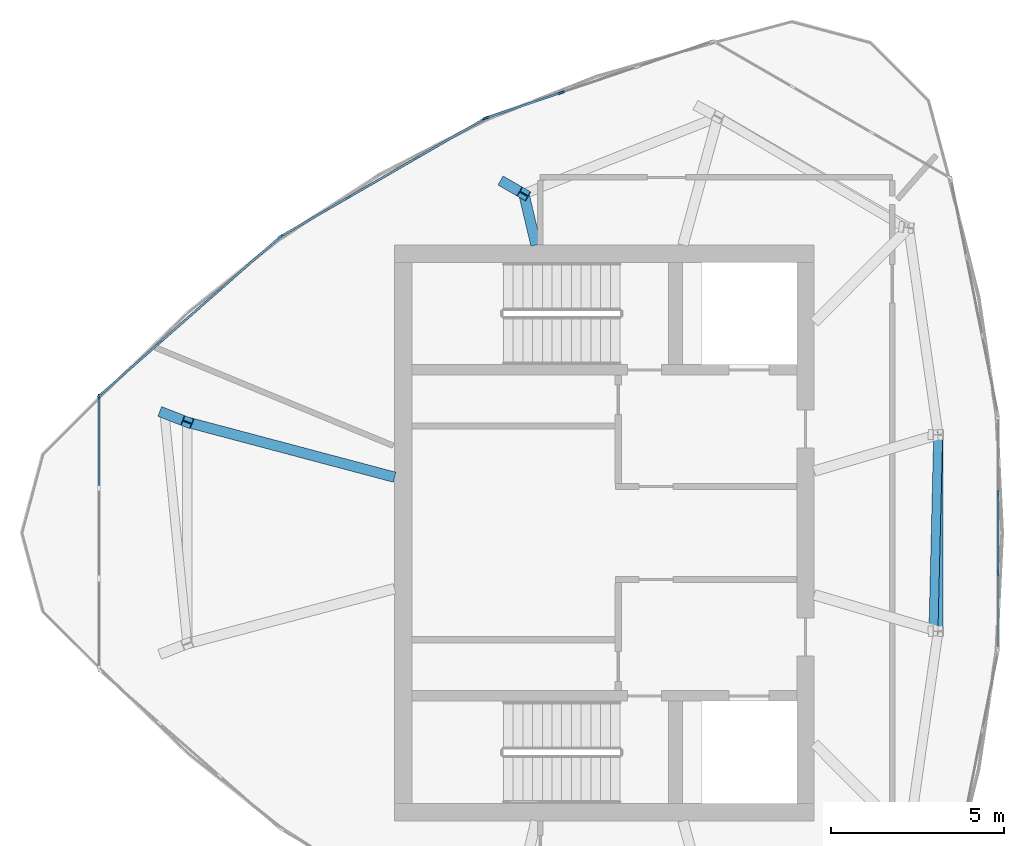
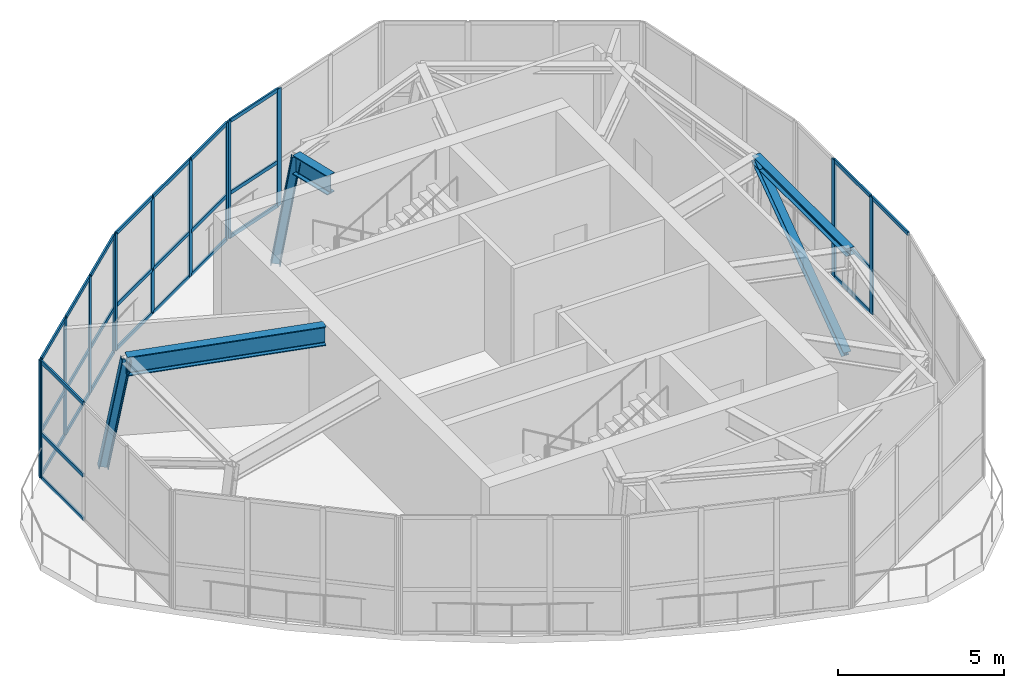
# One storey, part 3 of 9: 45 members, 2 beams, 5 elements without a shape of their own.
"""IFC4 building model written with IfcOpenShell, lengths in metres."""

from ifc_helpers import new_model, si_unit, direction, frame, origin, origin_2d, place, context, subcontext, project, spatial, rectangle, i_section, extrude, source, transform, mapped, material, layer, layer_set, material_profile, profile_set, type_object, element, aggregate, save


model = new_model("IFC4")

# Units and contexts
model_context = context("Model", 3, precision=1e-05, world=origin(), true_north=direction((0.0, 1.0)))
body_context = subcontext(model_context, "Body", "Model", "MODEL_VIEW")
ifc_project = project(units=[si_unit("LENGTHUNIT", "METRE"), si_unit("AREAUNIT", "SQUARE_METRE"), si_unit("VOLUMEUNIT", "CUBIC_METRE"), si_unit("PLANEANGLEUNIT", "RADIAN"), si_unit("MASSUNIT", "GRAM", prefix="KILO")], contexts=[model_context])

# Site, building, storey
site_placement = place(None, origin())
site = spatial("IfcSite", under=ifc_project, at=site_placement, CompositionType="ELEMENT")
building_placement = place(site_placement, origin())
building = spatial("IfcBuilding", under=site, at=building_placement, Name="Qafzar Sky-Pleat Residences", CompositionType="ELEMENT")
storey_placement = place(building_placement, frame((0.0, 0.0, 266.10009765625)))
storey = spatial("IfcBuildingStorey", under=building, at=storey_placement, Name="L79 Crown", CompositionType="ELEMENT", Elevation=266.10009765625)

# Members
ifc_material_1 = material(Name="Steel S460", Category="steel")
ifc_material_profile_1 = material_profile(ifc_material_1, i_section(OverallWidth=0.300048828125, OverallDepth=0.300048828125, WebThickness=0.010986328125, FlangeThickness=0.01904296875, FilletRadius=0.027099609375, at=origin_2d()), Name="HEB 300")
ifc_profile_set_1 = profile_set([ifc_material_profile_1], Name="Steel S460")
member_type_1 = type_object("IfcMemberType", Name="MEM-CROWN-RIB", PredefinedType="CHORD", material=ifc_profile_set_1)
shared_shape_1 = source(origin(), body_context, "Body", "SweptSolid", [
    extrude(i_section(OverallWidth=0.300048828125, OverallDepth=0.300048828125, WebThickness=0.010986328125, FlangeThickness=0.01904296875, FilletRadius=0.027099609375, at=origin_2d()), origin(), (0.0, 0.0, 1.0), 3.95947265625),
])
member_1_placement = place(storey_placement, frame((17.668212890625, 29.448974609375, 0.0), z_axis=(0.166113503649, -0.064743570464, 0.983978949973), x_axis=(0.363147139713, 0.931731804179, 0.0)))
element("IfcMember", 1, at=member_1_placement, inside=storey, type_object=member_type_1, Name="L79 Crown CROWN FRAME Inclined Rib 1", PredefinedType="CHORD", context=body_context, shape_type="MappedRepresentation", body=[
    mapped(shared_shape_1, transform((0.0, 0.0, 0.0), x_axis=(1.0, 0.0, 0.0), y_axis=(0.0, 1.0, 0.0), z_axis=(0.0, 0.0, 1.0), scale=1.0)),
])
shared_shape_2 = source(origin(), body_context, "Body", "SweptSolid", [
    extrude(i_section(OverallWidth=0.300048828125, OverallDepth=0.300048828125, WebThickness=0.010986328125, FlangeThickness=0.01904296875, FilletRadius=0.027099609375, at=origin_2d()), origin(), (0.0, 0.0, 1.0), 3.9462890625),
])
member_2_placement = place(storey_placement, frame((27.484619140625, 36.08544921875, 0.0), z_axis=(0.138084491671, -0.079126373139, 0.987254622797), x_axis=(0.497185157605, 0.867644465814, 0.0)))
element("IfcMember", 2, at=member_2_placement, inside=storey, type_object=member_type_1, Name="L79 Crown CROWN FRAME Inclined Rib 11", PredefinedType="CHORD", context=body_context, shape_type="MappedRepresentation", body=[
    mapped(shared_shape_2, transform((0.0, 0.0, 0.0), x_axis=(1.0, 0.0, 0.0), y_axis=(0.0, 1.0, 0.0), z_axis=(0.0, 0.0, 1.0), scale=1.0)),
])
ifc_material_2 = material(Name="Steel S355", Category="steel")
ifc_material_profile_2 = material_profile(ifc_material_2, i_section(OverallWidth=0.280029296875, OverallDepth=0.280029296875, WebThickness=0.010498046875, FlangeThickness=0.01806640625, FilletRadius=0.02392578125, at=origin_2d()), Name="HEB 280")
ifc_profile_set_2 = profile_set([ifc_material_profile_2], Name="Steel S355")
member_type_2 = type_object("IfcMemberType", Name="MEM-CROWN-RING", PredefinedType="PURLIN", material=ifc_profile_set_2)
shared_shape_3 = source(origin(), body_context, "Body", "SweptSolid", [
    extrude(i_section(OverallWidth=0.280029296875, OverallDepth=0.280029296875, WebThickness=0.010498046875, FlangeThickness=0.01806640625, FilletRadius=0.02392578125, at=origin_2d()), origin(), (0.0, 0.0, 1.0), 5.66943359375),
])
member_3_placement = place(storey_placement, frame((39.9736328125, 23.165283203125, 3.906005859375), z_axis=(0.0, 1.0, 0.0), x_axis=(-1.0, 0.0, 0.0)))
element("IfcMember", 3, at=member_3_placement, inside=storey, type_object=member_type_2, Name="L79 Crown CROWN FRAME Ring Beam 7", PredefinedType="PURLIN", context=body_context, shape_type="MappedRepresentation", body=[
    mapped(shared_shape_3, transform((0.0, 0.0, 0.0), x_axis=(1.0, 0.0, 0.0), y_axis=(0.0, 1.0, 0.0), z_axis=(0.0, 0.0, 1.0), scale=1.0)),
])
ifc_material_profile_3 = material_profile(ifc_material_2, i_section(OverallWidth=0.260009765625, OverallDepth=0.260009765625, WebThickness=0.010009765625, FlangeThickness=0.017578125, FilletRadius=0.02392578125, at=origin_2d()), Name="HEB 260")
ifc_profile_set_3 = profile_set([ifc_material_profile_3], Name="Steel S355")
member_type_3 = type_object("IfcMemberType", Name="MEM-CROWN-DIAG", PredefinedType="BRACE", material=ifc_profile_set_3)
shared_shape_4 = source(origin(), body_context, "Body", "SweptSolid", [
    extrude(i_section(OverallWidth=0.260009765625, OverallDepth=0.260009765625, WebThickness=0.010009765625, FlangeThickness=0.017578125, FilletRadius=0.02392578125, at=origin_2d()), origin(), (0.0, 0.0, 1.0), 6.78125),
])
member_4_placement = place(storey_placement, frame((39.837158203125, 23.1640625, 0.199951171875), z_axis=(0.020125566163, 0.836237075618, 0.547998645024), x_axis=(-0.999710519863, 0.024059851922, 0.0)))
element("IfcMember", 4, at=member_4_placement, inside=storey, type_object=member_type_3, Name="L79 Crown CROWN FRAME Wind Brace 7", PredefinedType="BRACE", context=body_context, shape_type="MappedRepresentation", body=[
    mapped(shared_shape_4, transform((0.0, 0.0, 0.0), x_axis=(1.0, 0.0, 0.0), y_axis=(0.0, 1.0, 0.0), z_axis=(0.0, 0.0, 1.0), scale=1.0)),
])

# Beams
ifc_material_profile_4 = material_profile(ifc_material_1, i_section(OverallWidth=0.300048828125, OverallDepth=0.699951171875, WebThickness=0.01708984375, FlangeThickness=0.031982421875, FilletRadius=0.027099609375, at=origin_2d()), Name="HEB 700")
ifc_profile_set_4 = profile_set([ifc_material_profile_4], Name="Steel S460")
beam_type = type_object("IfcBeamType", Name="BM-CHORD-HEB700", PredefinedType="BEAM", material=ifc_profile_set_4)
shared_shape_5 = source(origin(), body_context, "Body", "SweptSolid", [
    extrude(i_section(OverallWidth=0.300048828125, OverallDepth=0.699951171875, WebThickness=0.01708984375, FlangeThickness=0.031982421875, FilletRadius=0.027099609375, at=origin_2d()), origin(), (0.0, 0.0, 1.0), 6.18115234375),
])
beam_1_placement = place(storey_placement, frame((18.325927734375, 29.192626953125, 3.697998046875), z_axis=(0.966512990427, -0.256617691002, 0.0), x_axis=(0.256617691002, 0.966512990427, 0.0)))
element("IfcBeam", 5, at=beam_1_placement, inside=storey, type_object=beam_type, Name="L80 Crown Crown Rib Base Transfer Beam 1", PredefinedType="BEAM", context=body_context, shape_type="MappedRepresentation", body=[
    mapped(shared_shape_5, transform((0.0, 0.0, 0.0), x_axis=(1.0, 0.0, 0.0), y_axis=(0.0, 1.0, 0.0), z_axis=(0.0, 0.0, 1.0), scale=1.0)),
])
shared_shape_6 = source(origin(), body_context, "Body", "SweptSolid", [
    extrude(i_section(OverallWidth=0.300048828125, OverallDepth=0.699951171875, WebThickness=0.01708984375, FlangeThickness=0.031982421875, FilletRadius=0.027099609375, at=origin_2d()), origin(), (0.0, 0.0, 1.0), 1.51416015625),
])
beam_2_placement = place(storey_placement, frame((28.029541015625, 35.773193359375, 3.697998046875), z_axis=(0.231060983278, -0.972939269434, 0.0), x_axis=(0.972939269434, 0.231060983278, 0.0)))
element("IfcBeam", 6, at=beam_2_placement, inside=storey, type_object=beam_type, Name="L80 Crown Crown Rib Base Transfer Beam 11", PredefinedType="BEAM", context=body_context, shape_type="MappedRepresentation", body=[
    mapped(shared_shape_6, transform((0.0, 0.0, 0.0), x_axis=(1.0, 0.0, 0.0), y_axis=(0.0, 1.0, 0.0), z_axis=(0.0, 0.0, 1.0), scale=1.0)),
])

# Curtain wall, member
ifc_material_3 = material(Name="Anodised bronze aluminium framing", Category="aluminium")
ifc_layer = layer(ifc_material_3, 0.179931640625)
ifc_layer_set = layer_set([ifc_layer], Name="Anodised bronze aluminium framing")
curtain_wall_type = type_object("IfcCurtainWallType", Name="CW-SYS-06", PredefinedType="NOTDEFINED", material=ifc_layer_set)
curtain_wall_1_placement = place(storey_placement, origin())
curtain_wall_1 = element("IfcCurtainWall", 7, at=curtain_wall_1_placement, inside=storey, type_object=curtain_wall_type, Name="L79 Crown CW-06 Curtain Wall CW-CROWN-04-01", PredefinedType="NOTDEFINED")
ifc_material_4 = material(Name="Anodised bronze aluminium", Category="aluminium")
ifc_material_profile_5 = material_profile(ifc_material_4, rectangle(XDim=0.06005859375, YDim=0.179931640625, at=origin_2d()), Name="ALU MULLION 60x180")
ifc_profile_set_5 = profile_set([ifc_material_profile_5], Name="Anodised bronze aluminium")
member_type_4 = type_object("IfcMemberType", Name="CWM-06", PredefinedType="MULLION", material=ifc_profile_set_5)
shared_shape_7 = source(origin(), body_context, "Body", "SweptSolid", [
    extrude(rectangle(XDim=0.06005859375, YDim=0.179931640625, at=origin_2d()), origin(), (0.0, 0.0, 1.0), 4.2998046875),
])
member_5_placement = place(storey_placement, frame((15.783935546875, 29.92138671875, 0.0), z_axis=(0.0, 0.0, 1.0), x_axis=(1.0, 0.0, 0.0)))
member_5 = element("IfcMember", 8, at=member_5_placement, type_object=member_type_4, Name="CW-06 mullion 1", PredefinedType="MULLION", context=body_context, shape_type="MappedRepresentation", body=[
    mapped(shared_shape_7, transform((0.0, 0.0, 0.0), x_axis=(1.0, 0.0, 0.0), y_axis=(0.0, 1.0, 0.0), z_axis=(0.0, 0.0, 1.0), scale=1.0)),
])

# Curtain wall, members
curtain_wall_2_placement = place(storey_placement, origin())
curtain_wall_2 = element("IfcCurtainWall", 9, at=curtain_wall_2_placement, inside=storey, type_object=curtain_wall_type, Name="L79 Crown CW-06 Curtain Wall CW-CROWN-04-07", PredefinedType="NOTDEFINED")
member_6_placement = place(storey_placement, frame((41.701416015625, 24.864013671875, 0.0), z_axis=(0.0, 0.0, 1.0), x_axis=(-1.0, 0.0, 0.0)))
member_6 = element("IfcMember", 10, at=member_6_placement, type_object=member_type_4, Name="CW-06 mullion 2", PredefinedType="MULLION", context=body_context, shape_type="MappedRepresentation", body=[
    mapped(shared_shape_7, transform((0.0, 0.0, 0.0), x_axis=(1.0, 0.0, 0.0), y_axis=(0.0, 1.0, 0.0), z_axis=(0.0, 0.0, 1.0), scale=1.0)),
])
member_7_placement = place(storey_placement, frame((41.701416015625, 27.135986328125, 0.0), z_axis=(0.0, 0.0, 1.0), x_axis=(-1.0, 0.0, 0.0)))
member_7 = element("IfcMember", 11, at=member_7_placement, type_object=member_type_4, Name="CW-06 mullion 3", PredefinedType="MULLION", context=body_context, shape_type="MappedRepresentation", body=[
    mapped(shared_shape_7, transform((0.0, 0.0, 0.0), x_axis=(1.0, 0.0, 0.0), y_axis=(0.0, 1.0, 0.0), z_axis=(0.0, 0.0, 1.0), scale=1.0)),
])

curtain_wall_3_placement = place(storey_placement, origin())
curtain_wall_3 = element("IfcCurtainWall", 12, at=curtain_wall_3_placement, inside=storey, type_object=curtain_wall_type, Name="L79 Crown CW-06 Curtain Wall CW-CROWN-04-10", PredefinedType="NOTDEFINED")
member_8_placement = place(storey_placement, frame((29.10400390625, 38.691162109375, 0.0), z_axis=(0.0, 0.0, 1.0), x_axis=(0.320445261328, -0.947267034417, 0.0)))
member_8 = element("IfcMember", 13, at=member_8_placement, type_object=member_type_4, Name="CW-06 mullion 3", PredefinedType="MULLION", context=body_context, shape_type="MappedRepresentation", body=[
    mapped(shared_shape_7, transform((0.0, 0.0, 0.0), x_axis=(1.0, 0.0, 0.0), y_axis=(0.0, 1.0, 0.0), z_axis=(0.0, 0.0, 1.0), scale=1.0)),
])
member_9_placement = place(storey_placement, frame((26.9375, 37.958251953125, 0.0), z_axis=(0.0, 0.0, 1.0), x_axis=(0.320445261328, -0.947267034417, 0.0)))
member_9 = element("IfcMember", 14, at=member_9_placement, type_object=member_type_4, Name="CW-06 mullion 4", PredefinedType="MULLION", context=body_context, shape_type="MappedRepresentation", body=[
    mapped(shared_shape_7, transform((0.0, 0.0, 0.0), x_axis=(1.0, 0.0, 0.0), y_axis=(0.0, 1.0, 0.0), z_axis=(0.0, 0.0, 1.0), scale=1.0)),
])

curtain_wall_4_placement = place(storey_placement, origin())
curtain_wall_4 = element("IfcCurtainWall", 15, at=curtain_wall_4_placement, inside=storey, type_object=curtain_wall_type, Name="L79 Crown CW-06 Curtain Wall CW-CROWN-04-11", PredefinedType="NOTDEFINED")
member_10_placement = place(storey_placement, frame((26.883056640625, 37.93359375, 0.0), z_axis=(0.0, 0.0, 1.0), x_axis=(0.500003097875, -0.866023615218, 0.0)))
member_10 = element("IfcMember", 16, at=member_10_placement, type_object=member_type_4, Name="CW-06 mullion 1", PredefinedType="MULLION", context=body_context, shape_type="MappedRepresentation", body=[
    mapped(shared_shape_7, transform((0.0, 0.0, 0.0), x_axis=(1.0, 0.0, 0.0), y_axis=(0.0, 1.0, 0.0), z_axis=(0.0, 0.0, 1.0), scale=1.0)),
])
member_11_placement = place(storey_placement, frame((24.941162109375, 36.8125, 0.0), z_axis=(0.0, 0.0, 1.0), x_axis=(0.500003097875, -0.866023615218, 0.0)))
member_11 = element("IfcMember", 17, at=member_11_placement, type_object=member_type_4, Name="CW-06 mullion 2", PredefinedType="MULLION", context=body_context, shape_type="MappedRepresentation", body=[
    mapped(shared_shape_7, transform((0.0, 0.0, 0.0), x_axis=(1.0, 0.0, 0.0), y_axis=(0.0, 1.0, 0.0), z_axis=(0.0, 0.0, 1.0), scale=1.0)),
])
member_12_placement = place(storey_placement, frame((22.973388671875, 35.676513671875, 0.0), z_axis=(0.0, 0.0, 1.0), x_axis=(0.500003097875, -0.866023615218, 0.0)))
member_12 = element("IfcMember", 18, at=member_12_placement, type_object=member_type_4, Name="CW-06 mullion 3", PredefinedType="MULLION", context=body_context, shape_type="MappedRepresentation", body=[
    mapped(shared_shape_7, transform((0.0, 0.0, 0.0), x_axis=(1.0, 0.0, 0.0), y_axis=(0.0, 1.0, 0.0), z_axis=(0.0, 0.0, 1.0), scale=1.0)),
])
member_13_placement = place(storey_placement, frame((21.03173828125, 34.555419921875, 0.0), z_axis=(0.0, 0.0, 1.0), x_axis=(0.500003097875, -0.866023615218, 0.0)))
member_13 = element("IfcMember", 19, at=member_13_placement, type_object=member_type_4, Name="CW-06 mullion 4", PredefinedType="MULLION", context=body_context, shape_type="MappedRepresentation", body=[
    mapped(shared_shape_7, transform((0.0, 0.0, 0.0), x_axis=(1.0, 0.0, 0.0), y_axis=(0.0, 1.0, 0.0), z_axis=(0.0, 0.0, 1.0), scale=1.0)),
])

curtain_wall_5_placement = place(storey_placement, origin())
curtain_wall_5 = element("IfcCurtainWall", 20, at=curtain_wall_5_placement, inside=storey, type_object=curtain_wall_type, Name="L79 Crown CW-06 Curtain Wall CW-CROWN-04-12", PredefinedType="NOTDEFINED")
member_14_placement = place(storey_placement, frame((20.983154296875, 34.5205078125, 0.0), z_axis=(0.0, 0.0, 1.0), x_axis=(0.660125430154, -0.751155387696, 0.0)))
member_14 = element("IfcMember", 21, at=member_14_placement, type_object=member_type_4, Name="CW-06 mullion 1", PredefinedType="MULLION", context=body_context, shape_type="MappedRepresentation", body=[
    mapped(shared_shape_7, transform((0.0, 0.0, 0.0), x_axis=(1.0, 0.0, 0.0), y_axis=(0.0, 1.0, 0.0), z_axis=(0.0, 0.0, 1.0), scale=1.0)),
])
member_15_placement = place(storey_placement, frame((19.26513671875, 33.0107421875, 0.0), z_axis=(0.0, 0.0, 1.0), x_axis=(0.660125430154, -0.751155387696, 0.0)))
member_15 = element("IfcMember", 22, at=member_15_placement, type_object=member_type_4, Name="CW-06 mullion 2", PredefinedType="MULLION", context=body_context, shape_type="MappedRepresentation", body=[
    mapped(shared_shape_7, transform((0.0, 0.0, 0.0), x_axis=(1.0, 0.0, 0.0), y_axis=(0.0, 1.0, 0.0), z_axis=(0.0, 0.0, 1.0), scale=1.0)),
])
member_16_placement = place(storey_placement, frame((17.524658203125, 31.48095703125, 0.0), z_axis=(0.0, 0.0, 1.0), x_axis=(0.660125430154, -0.751155387696, 0.0)))
member_16 = element("IfcMember", 23, at=member_16_placement, type_object=member_type_4, Name="CW-06 mullion 3", PredefinedType="MULLION", context=body_context, shape_type="MappedRepresentation", body=[
    mapped(shared_shape_7, transform((0.0, 0.0, 0.0), x_axis=(1.0, 0.0, 0.0), y_axis=(0.0, 1.0, 0.0), z_axis=(0.0, 0.0, 1.0), scale=1.0)),
])
member_17_placement = place(storey_placement, frame((15.806640625, 29.97119140625, 0.0), z_axis=(0.0, 0.0, 1.0), x_axis=(0.660125430154, -0.751155387696, 0.0)))
member_17 = element("IfcMember", 24, at=member_17_placement, type_object=member_type_4, Name="CW-06 mullion 4", PredefinedType="MULLION", context=body_context, shape_type="MappedRepresentation", body=[
    mapped(shared_shape_7, transform((0.0, 0.0, 0.0), x_axis=(1.0, 0.0, 0.0), y_axis=(0.0, 1.0, 0.0), z_axis=(0.0, 0.0, 1.0), scale=1.0)),
])

# Member
ifc_material_profile_6 = material_profile(ifc_material_4, rectangle(XDim=0.06005859375, YDim=0.135009765625, at=origin_2d()), Name="ALU TRANSOM 60x135")
ifc_profile_set_6 = profile_set([ifc_material_profile_6], Name="Anodised bronze aluminium")
member_type_5 = type_object("IfcMemberType", Name="CWT-06", PredefinedType="USERDEFINED", material=ifc_profile_set_6)
shared_shape_8 = source(origin(), body_context, "Body", "SweptSolid", [
    extrude(rectangle(XDim=0.06005859375, YDim=0.135009765625, at=origin_2d()), origin(), (0.0, 0.0, 1.0), 2.544189453125),
])
member_18_placement = place(storey_placement, frame((15.783935546875, 29.891357421875, 0.02978515625), z_axis=(0.0, -1.0, 0.0), x_axis=(1.0, 0.0, 0.0)))
member_18 = element("IfcMember", 25, at=member_18_placement, type_object=member_type_5, Name="CW-06 transom 1.1", ObjectType="TRANSOM", PredefinedType="USERDEFINED", context=body_context, shape_type="MappedRepresentation", body=[
    mapped(shared_shape_8, transform((0.0, 0.0, 0.0), x_axis=(1.0, 0.0, 0.0), y_axis=(0.0, 1.0, 0.0), z_axis=(0.0, 0.0, 1.0), scale=1.0)),
])

member_19_placement = place(storey_placement, frame((15.783935546875, 29.891357421875, 1.6337890625), z_axis=(0.0, -1.0, 0.0), x_axis=(1.0, 0.0, 0.0)))
member_19 = element("IfcMember", 26, at=member_19_placement, type_object=member_type_5, Name="CW-06 transom 1.2", ObjectType="TRANSOM", PredefinedType="USERDEFINED", context=body_context, shape_type="MappedRepresentation", body=[
    mapped(shared_shape_8, transform((0.0, 0.0, 0.0), x_axis=(1.0, 0.0, 0.0), y_axis=(0.0, 1.0, 0.0), z_axis=(0.0, 0.0, 1.0), scale=1.0)),
])

member_20_placement = place(storey_placement, frame((15.783935546875, 29.891357421875, 4.27001953125), z_axis=(0.0, -1.0, 0.0), x_axis=(1.0, 0.0, 0.0)))
member_20 = element("IfcMember", 27, at=member_20_placement, type_object=member_type_5, Name="CW-06 transom 1.3", ObjectType="TRANSOM", PredefinedType="USERDEFINED", context=body_context, shape_type="MappedRepresentation", body=[
    mapped(shared_shape_8, transform((0.0, 0.0, 0.0), x_axis=(1.0, 0.0, 0.0), y_axis=(0.0, 1.0, 0.0), z_axis=(0.0, 0.0, 1.0), scale=1.0)),
])

aggregate(curtain_wall_1, [member_5, member_18, member_19, member_20])

shared_shape_9 = source(origin(), body_context, "Body", "SweptSolid", [
    extrude(rectangle(XDim=0.06005859375, YDim=0.135009765625, at=origin_2d()), origin(), (0.0, 0.0, 1.0), 2.22705078125),
])
member_21_placement = place(storey_placement, frame((17.501953125, 31.461181640625, 0.02978515625), z_axis=(-0.751135248424, -0.660148345886, 0.0), x_axis=(0.660148345886, -0.751135248424, 0.0)))
member_21 = element("IfcMember", 28, at=member_21_placement, type_object=member_type_5, Name="CW-06 transom 3.1", ObjectType="TRANSOM", PredefinedType="USERDEFINED", context=body_context, shape_type="MappedRepresentation", body=[
    mapped(shared_shape_9, transform((0.0, 0.0, 0.0), x_axis=(1.0, 0.0, 0.0), y_axis=(0.0, 1.0, 0.0), z_axis=(0.0, 0.0, 1.0), scale=1.0)),
])

member_22_placement = place(storey_placement, frame((17.501953125, 31.461181640625, 1.6337890625), z_axis=(-0.751135248424, -0.660148345886, 0.0), x_axis=(0.660148345886, -0.751135248424, 0.0)))
member_22 = element("IfcMember", 29, at=member_22_placement, type_object=member_type_5, Name="CW-06 transom 3.2", ObjectType="TRANSOM", PredefinedType="USERDEFINED", context=body_context, shape_type="MappedRepresentation", body=[
    mapped(shared_shape_9, transform((0.0, 0.0, 0.0), x_axis=(1.0, 0.0, 0.0), y_axis=(0.0, 1.0, 0.0), z_axis=(0.0, 0.0, 1.0), scale=1.0)),
])

member_23_placement = place(storey_placement, frame((17.501953125, 31.461181640625, 4.27001953125), z_axis=(-0.751135248424, -0.660148345886, 0.0), x_axis=(0.660148345886, -0.751135248424, 0.0)))
member_23 = element("IfcMember", 30, at=member_23_placement, type_object=member_type_5, Name="CW-06 transom 3.3", ObjectType="TRANSOM", PredefinedType="USERDEFINED", context=body_context, shape_type="MappedRepresentation", body=[
    mapped(shared_shape_9, transform((0.0, 0.0, 0.0), x_axis=(1.0, 0.0, 0.0), y_axis=(0.0, 1.0, 0.0), z_axis=(0.0, 0.0, 1.0), scale=1.0)),
])

shared_shape_10 = source(origin(), body_context, "Body", "SweptSolid", [
    extrude(rectangle(XDim=0.06005859375, YDim=0.135009765625, at=origin_2d()), origin(), (0.0, 0.0, 1.0), 2.25732421875),
])
member_24_placement = place(storey_placement, frame((19.24267578125, 32.990966796875, 0.02978515625), z_axis=(-0.751121019266, -0.660164535867, 0.0), x_axis=(0.660164535867, -0.751121019266, 0.0)))
member_24 = element("IfcMember", 31, at=member_24_placement, type_object=member_type_5, Name="CW-06 transom 2.1", ObjectType="TRANSOM", PredefinedType="USERDEFINED", context=body_context, shape_type="MappedRepresentation", body=[
    mapped(shared_shape_10, transform((0.0, 0.0, 0.0), x_axis=(1.0, 0.0, 0.0), y_axis=(0.0, 1.0, 0.0), z_axis=(0.0, 0.0, 1.0), scale=1.0)),
])

member_25_placement = place(storey_placement, frame((19.24267578125, 32.990966796875, 1.6337890625), z_axis=(-0.751121019266, -0.660164535867, 0.0), x_axis=(0.660164535867, -0.751121019266, 0.0)))
member_25 = element("IfcMember", 32, at=member_25_placement, type_object=member_type_5, Name="CW-06 transom 2.2", ObjectType="TRANSOM", PredefinedType="USERDEFINED", context=body_context, shape_type="MappedRepresentation", body=[
    mapped(shared_shape_10, transform((0.0, 0.0, 0.0), x_axis=(1.0, 0.0, 0.0), y_axis=(0.0, 1.0, 0.0), z_axis=(0.0, 0.0, 1.0), scale=1.0)),
])

member_26_placement = place(storey_placement, frame((19.24267578125, 32.990966796875, 4.27001953125), z_axis=(-0.751121019266, -0.660164535867, 0.0), x_axis=(0.660164535867, -0.751121019266, 0.0)))
member_26 = element("IfcMember", 33, at=member_26_placement, type_object=member_type_5, Name="CW-06 transom 2.3", ObjectType="TRANSOM", PredefinedType="USERDEFINED", context=body_context, shape_type="MappedRepresentation", body=[
    mapped(shared_shape_10, transform((0.0, 0.0, 0.0), x_axis=(1.0, 0.0, 0.0), y_axis=(0.0, 1.0, 0.0), z_axis=(0.0, 0.0, 1.0), scale=1.0)),
])

shared_shape_11 = source(origin(), body_context, "Body", "SweptSolid", [
    extrude(rectangle(XDim=0.06005859375, YDim=0.135009765625, at=origin_2d()), origin(), (0.0, 0.0, 1.0), 2.227294921875),
])
member_27_placement = place(storey_placement, frame((29.07568359375, 38.681640625, 0.02978515625), z_axis=(-0.947248738192, -0.320499341642, 0.0), x_axis=(0.320499341642, -0.947248738192, 0.0)))
member_27 = element("IfcMember", 34, at=member_27_placement, type_object=member_type_5, Name="CW-06 transom 3.1", ObjectType="TRANSOM", PredefinedType="USERDEFINED", context=body_context, shape_type="MappedRepresentation", body=[
    mapped(shared_shape_11, transform((0.0, 0.0, 0.0), x_axis=(1.0, 0.0, 0.0), y_axis=(0.0, 1.0, 0.0), z_axis=(0.0, 0.0, 1.0), scale=1.0)),
])

member_28_placement = place(storey_placement, frame((29.07568359375, 38.681640625, 1.6337890625), z_axis=(-0.947248738192, -0.320499341642, 0.0), x_axis=(0.320499341642, -0.947248738192, 0.0)))
member_28 = element("IfcMember", 35, at=member_28_placement, type_object=member_type_5, Name="CW-06 transom 3.2", ObjectType="TRANSOM", PredefinedType="USERDEFINED", context=body_context, shape_type="MappedRepresentation", body=[
    mapped(shared_shape_11, transform((0.0, 0.0, 0.0), x_axis=(1.0, 0.0, 0.0), y_axis=(0.0, 1.0, 0.0), z_axis=(0.0, 0.0, 1.0), scale=1.0)),
])

member_29_placement = place(storey_placement, frame((29.07568359375, 38.681640625, 4.27001953125), z_axis=(-0.947248738192, -0.320499341642, 0.0), x_axis=(0.320499341642, -0.947248738192, 0.0)))
member_29 = element("IfcMember", 36, at=member_29_placement, type_object=member_type_5, Name="CW-06 transom 3.3", ObjectType="TRANSOM", PredefinedType="USERDEFINED", context=body_context, shape_type="MappedRepresentation", body=[
    mapped(shared_shape_11, transform((0.0, 0.0, 0.0), x_axis=(1.0, 0.0, 0.0), y_axis=(0.0, 1.0, 0.0), z_axis=(0.0, 0.0, 1.0), scale=1.0)),
])

aggregate(curtain_wall_3, [member_8, member_9, member_27, member_28, member_29])

member_30_placement = place(storey_placement, frame((20.960693359375, 34.500732421875, 0.02978515625), z_axis=(-0.751183015672, -0.660093991008, 0.0), x_axis=(0.660093991008, -0.751183015672, 0.0)))
member_30 = element("IfcMember", 37, at=member_30_placement, type_object=member_type_5, Name="CW-06 transom 1.1", ObjectType="TRANSOM", PredefinedType="USERDEFINED", context=body_context, shape_type="MappedRepresentation", body=[
    mapped(shared_shape_11, transform((0.0, 0.0, 0.0), x_axis=(1.0, 0.0, 0.0), y_axis=(0.0, 1.0, 0.0), z_axis=(0.0, 0.0, 1.0), scale=1.0)),
])

member_31_placement = place(storey_placement, frame((20.960693359375, 34.500732421875, 1.6337890625), z_axis=(-0.751183015672, -0.660093991008, 0.0), x_axis=(0.660093991008, -0.751183015672, 0.0)))
member_31 = element("IfcMember", 38, at=member_31_placement, type_object=member_type_5, Name="CW-06 transom 1.2", ObjectType="TRANSOM", PredefinedType="USERDEFINED", context=body_context, shape_type="MappedRepresentation", body=[
    mapped(shared_shape_11, transform((0.0, 0.0, 0.0), x_axis=(1.0, 0.0, 0.0), y_axis=(0.0, 1.0, 0.0), z_axis=(0.0, 0.0, 1.0), scale=1.0)),
])

member_32_placement = place(storey_placement, frame((20.960693359375, 34.500732421875, 4.27001953125), z_axis=(-0.751183015672, -0.660093991008, 0.0), x_axis=(0.660093991008, -0.751183015672, 0.0)))
member_32 = element("IfcMember", 39, at=member_32_placement, type_object=member_type_5, Name="CW-06 transom 1.3", ObjectType="TRANSOM", PredefinedType="USERDEFINED", context=body_context, shape_type="MappedRepresentation", body=[
    mapped(shared_shape_11, transform((0.0, 0.0, 0.0), x_axis=(1.0, 0.0, 0.0), y_axis=(0.0, 1.0, 0.0), z_axis=(0.0, 0.0, 1.0), scale=1.0)),
])

aggregate(curtain_wall_5, [member_14, member_15, member_16, member_17, member_30, member_31, member_32, member_24, member_25, member_26, member_21, member_22, member_23])

shared_shape_12 = source(origin(), body_context, "Body", "SweptSolid", [
    extrude(rectangle(XDim=0.06005859375, YDim=0.135009765625, at=origin_2d()), origin(), (0.0, 0.0, 1.0), 2.18212890625),
])
member_33_placement = place(storey_placement, frame((26.85693359375, 37.918701171875, 0.02978515625), z_axis=(-0.865961984968, -0.500109828528, 0.0), x_axis=(0.500109828528, -0.865961984968, 0.0)))
member_33 = element("IfcMember", 40, at=member_33_placement, type_object=member_type_5, Name="CW-06 transom 1.1", ObjectType="TRANSOM", PredefinedType="USERDEFINED", context=body_context, shape_type="MappedRepresentation", body=[
    mapped(shared_shape_12, transform((0.0, 0.0, 0.0), x_axis=(1.0, 0.0, 0.0), y_axis=(0.0, 1.0, 0.0), z_axis=(0.0, 0.0, 1.0), scale=1.0)),
])

member_34_placement = place(storey_placement, frame((26.85693359375, 37.918701171875, 1.6337890625), z_axis=(-0.865961984968, -0.500109828528, 0.0), x_axis=(0.500109828528, -0.865961984968, 0.0)))
member_34 = element("IfcMember", 41, at=member_34_placement, type_object=member_type_5, Name="CW-06 transom 1.2", ObjectType="TRANSOM", PredefinedType="USERDEFINED", context=body_context, shape_type="MappedRepresentation", body=[
    mapped(shared_shape_12, transform((0.0, 0.0, 0.0), x_axis=(1.0, 0.0, 0.0), y_axis=(0.0, 1.0, 0.0), z_axis=(0.0, 0.0, 1.0), scale=1.0)),
])

member_35_placement = place(storey_placement, frame((26.85693359375, 37.918701171875, 4.27001953125), z_axis=(-0.865961984968, -0.500109828528, 0.0), x_axis=(0.500109828528, -0.865961984968, 0.0)))
member_35 = element("IfcMember", 42, at=member_35_placement, type_object=member_type_5, Name="CW-06 transom 1.3", ObjectType="TRANSOM", PredefinedType="USERDEFINED", context=body_context, shape_type="MappedRepresentation", body=[
    mapped(shared_shape_12, transform((0.0, 0.0, 0.0), x_axis=(1.0, 0.0, 0.0), y_axis=(0.0, 1.0, 0.0), z_axis=(0.0, 0.0, 1.0), scale=1.0)),
])

member_36_placement = place(storey_placement, frame((22.947509765625, 35.661376953125, 0.02978515625), z_axis=(-0.86603840752, -0.499977476193, 0.0), x_axis=(0.499977476193, -0.86603840752, 0.0)))
member_36 = element("IfcMember", 43, at=member_36_placement, type_object=member_type_5, Name="CW-06 transom 3.1", ObjectType="TRANSOM", PredefinedType="USERDEFINED", context=body_context, shape_type="MappedRepresentation", body=[
    mapped(shared_shape_12, transform((0.0, 0.0, 0.0), x_axis=(1.0, 0.0, 0.0), y_axis=(0.0, 1.0, 0.0), z_axis=(0.0, 0.0, 1.0), scale=1.0)),
])

member_37_placement = place(storey_placement, frame((22.947509765625, 35.661376953125, 1.6337890625), z_axis=(-0.86603840752, -0.499977476193, 0.0), x_axis=(0.499977476193, -0.86603840752, 0.0)))
member_37 = element("IfcMember", 44, at=member_37_placement, type_object=member_type_5, Name="CW-06 transom 3.2", ObjectType="TRANSOM", PredefinedType="USERDEFINED", context=body_context, shape_type="MappedRepresentation", body=[
    mapped(shared_shape_12, transform((0.0, 0.0, 0.0), x_axis=(1.0, 0.0, 0.0), y_axis=(0.0, 1.0, 0.0), z_axis=(0.0, 0.0, 1.0), scale=1.0)),
])

member_38_placement = place(storey_placement, frame((22.947509765625, 35.661376953125, 4.27001953125), z_axis=(-0.86603840752, -0.499977476193, 0.0), x_axis=(0.499977476193, -0.86603840752, 0.0)))
member_38 = element("IfcMember", 45, at=member_38_placement, type_object=member_type_5, Name="CW-06 transom 3.3", ObjectType="TRANSOM", PredefinedType="USERDEFINED", context=body_context, shape_type="MappedRepresentation", body=[
    mapped(shared_shape_12, transform((0.0, 0.0, 0.0), x_axis=(1.0, 0.0, 0.0), y_axis=(0.0, 1.0, 0.0), z_axis=(0.0, 0.0, 1.0), scale=1.0)),
])

shared_shape_13 = source(origin(), body_context, "Body", "SweptSolid", [
    extrude(rectangle(XDim=0.06005859375, YDim=0.135009765625, at=origin_2d()), origin(), (0.0, 0.0, 1.0), 2.212158203125),
])
member_39_placement = place(storey_placement, frame((24.915283203125, 36.797607421875, 0.02978515625), z_axis=(-0.865999958766, -0.500044069475, 0.0), x_axis=(0.500044069475, -0.865999958766, 0.0)))
member_39 = element("IfcMember", 46, at=member_39_placement, type_object=member_type_5, Name="CW-06 transom 2.1", ObjectType="TRANSOM", PredefinedType="USERDEFINED", context=body_context, shape_type="MappedRepresentation", body=[
    mapped(shared_shape_13, transform((0.0, 0.0, 0.0), x_axis=(1.0, 0.0, 0.0), y_axis=(0.0, 1.0, 0.0), z_axis=(0.0, 0.0, 1.0), scale=1.0)),
])

member_40_placement = place(storey_placement, frame((24.915283203125, 36.797607421875, 1.6337890625), z_axis=(-0.865999958766, -0.500044069475, 0.0), x_axis=(0.500044069475, -0.865999958766, 0.0)))
member_40 = element("IfcMember", 47, at=member_40_placement, type_object=member_type_5, Name="CW-06 transom 2.2", ObjectType="TRANSOM", PredefinedType="USERDEFINED", context=body_context, shape_type="MappedRepresentation", body=[
    mapped(shared_shape_13, transform((0.0, 0.0, 0.0), x_axis=(1.0, 0.0, 0.0), y_axis=(0.0, 1.0, 0.0), z_axis=(0.0, 0.0, 1.0), scale=1.0)),
])

member_41_placement = place(storey_placement, frame((24.915283203125, 36.797607421875, 4.27001953125), z_axis=(-0.865999958766, -0.500044069475, 0.0), x_axis=(0.500044069475, -0.865999958766, 0.0)))
member_41 = element("IfcMember", 48, at=member_41_placement, type_object=member_type_5, Name="CW-06 transom 2.3", ObjectType="TRANSOM", PredefinedType="USERDEFINED", context=body_context, shape_type="MappedRepresentation", body=[
    mapped(shared_shape_13, transform((0.0, 0.0, 0.0), x_axis=(1.0, 0.0, 0.0), y_axis=(0.0, 1.0, 0.0), z_axis=(0.0, 0.0, 1.0), scale=1.0)),
])

aggregate(curtain_wall_4, [member_10, member_11, member_12, member_13, member_33, member_34, member_35, member_39, member_40, member_41, member_36, member_37, member_38])

shared_shape_14 = source(origin(), body_context, "Body", "SweptSolid", [
    extrude(rectangle(XDim=0.06005859375, YDim=0.135009765625, at=origin_2d()), origin(), (0.0, 0.0, 1.0), 2.182373046875),
])
member_42_placement = place(storey_placement, frame((41.701416015625, 22.651611328125, 4.27001953125), z_axis=(0.0, 1.0, 0.0), x_axis=(-1.0, 0.0, 0.0)))
member_42 = element("IfcMember", 49, at=member_42_placement, type_object=member_type_5, Name="CW-06 transom 1.3", ObjectType="TRANSOM", PredefinedType="USERDEFINED", context=body_context, shape_type="MappedRepresentation", body=[
    mapped(shared_shape_14, transform((0.0, 0.0, 0.0), x_axis=(1.0, 0.0, 0.0), y_axis=(0.0, 1.0, 0.0), z_axis=(0.0, 0.0, 1.0), scale=1.0)),
])

shared_shape_15 = source(origin(), body_context, "Body", "SweptSolid", [
    extrude(rectangle(XDim=0.06005859375, YDim=0.135009765625, at=origin_2d()), origin(), (0.0, 0.0, 1.0), 2.21240234375),
])
member_43_placement = place(storey_placement, frame((41.701416015625, 24.893798828125, 0.02978515625), z_axis=(0.0, 1.0, 0.0), x_axis=(-1.0, 0.0, 0.0)))
member_43 = element("IfcMember", 50, at=member_43_placement, type_object=member_type_5, Name="CW-06 transom 2.1", ObjectType="TRANSOM", PredefinedType="USERDEFINED", context=body_context, shape_type="MappedRepresentation", body=[
    mapped(shared_shape_15, transform((0.0, 0.0, 0.0), x_axis=(1.0, 0.0, 0.0), y_axis=(0.0, 1.0, 0.0), z_axis=(0.0, 0.0, 1.0), scale=1.0)),
])

member_44_placement = place(storey_placement, frame((41.701416015625, 24.893798828125, 1.6337890625), z_axis=(0.0, 1.0, 0.0), x_axis=(-1.0, 0.0, 0.0)))
member_44 = element("IfcMember", 51, at=member_44_placement, type_object=member_type_5, Name="CW-06 transom 2.2", ObjectType="TRANSOM", PredefinedType="USERDEFINED", context=body_context, shape_type="MappedRepresentation", body=[
    mapped(shared_shape_15, transform((0.0, 0.0, 0.0), x_axis=(1.0, 0.0, 0.0), y_axis=(0.0, 1.0, 0.0), z_axis=(0.0, 0.0, 1.0), scale=1.0)),
])

member_45_placement = place(storey_placement, frame((41.701416015625, 24.893798828125, 4.27001953125), z_axis=(0.0, 1.0, 0.0), x_axis=(-1.0, 0.0, 0.0)))
member_45 = element("IfcMember", 52, at=member_45_placement, type_object=member_type_5, Name="CW-06 transom 2.3", ObjectType="TRANSOM", PredefinedType="USERDEFINED", context=body_context, shape_type="MappedRepresentation", body=[
    mapped(shared_shape_15, transform((0.0, 0.0, 0.0), x_axis=(1.0, 0.0, 0.0), y_axis=(0.0, 1.0, 0.0), z_axis=(0.0, 0.0, 1.0), scale=1.0)),
])

aggregate(curtain_wall_2, [member_6, member_7, member_42, member_43, member_44, member_45])

save(model, "model.ifc")
